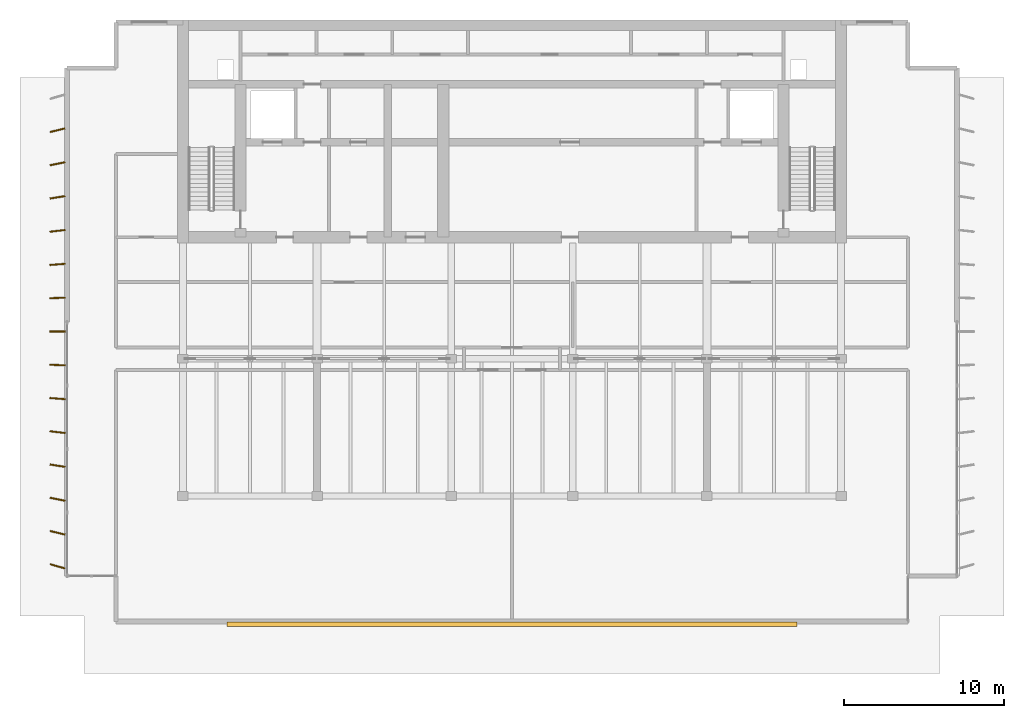
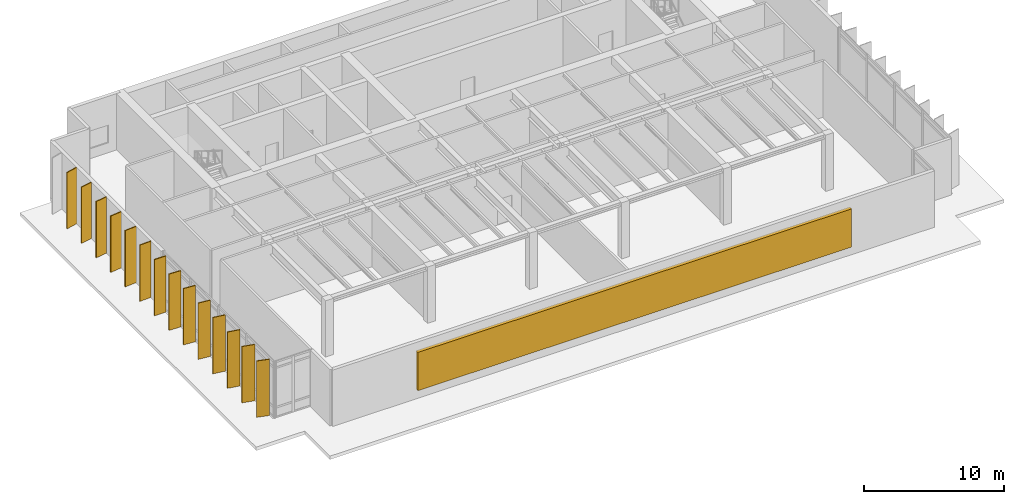
# One storey, part 9 of 12: 15 shading devices.
"""IFC4 building model written with IfcOpenShell, lengths in metres."""

from ifc_helpers import new_model, si_unit, direction, frame, origin, origin_2d, place, context, subcontext, project, spatial, rectangle, extrude, material, layer, layer_set, material_profile, profile_set, type_object, element, save


model = new_model("IFC4")

# Units and contexts
model_context = context("Model", 3, precision=1e-05, world=origin(), true_north=direction((0.0, 1.0)))
body_context = subcontext(model_context, "Body", "Model", "MODEL_VIEW")
ifc_project = project(units=[si_unit("LENGTHUNIT", "METRE"), si_unit("AREAUNIT", "SQUARE_METRE"), si_unit("VOLUMEUNIT", "CUBIC_METRE"), si_unit("PLANEANGLEUNIT", "RADIAN"), si_unit("MASSUNIT", "GRAM", prefix="KILO")], contexts=[model_context])

# Site, building, storey
site_placement = place(None, origin())
site = spatial("IfcSite", under=ifc_project, at=site_placement, CompositionType="ELEMENT")
building_placement = place(site_placement, origin())
building = spatial("IfcBuilding", under=site, at=building_placement, Name="Caelmar Bay Residences", CompositionType="ELEMENT")
storey_placement = place(building_placement, frame((0.0, 0.0, 274.199951171875)))
storey = spatial("IfcBuildingStorey", under=building, at=storey_placement, Name="L77", CompositionType="ELEMENT", Elevation=274.199951171875)

# Shading devices
ifc_material = material(Name="Anodised architectural bronze aluminium 6063-T6", Category="aluminium")
ifc_material_profile = material_profile(ifc_material, rectangle(XDim=0.074951171875, YDim=0.949951171875, at=origin_2d()), Name="BRONZE-FIN-75X950")
ifc_profile_set = profile_set([ifc_material_profile], Name="Anodised architectural bronze aluminium 6063-T6")
shading_device_type_1 = type_object("IfcShadingDeviceType", Name="SHD-FIN-950", PredefinedType="USERDEFINED", material=ifc_profile_set)
for number, where, z_axis, x_axis, name in (
    (1, (10.449951171875, 16.39990234375, 0.0), (0.0, 0.0, 1.0), (0.275637355817, 0.961261695938, 0.0), "L77 West Bronze Solar Fin 1"),
    (2, (10.449951171875, 18.5, 0.0), (0.0, 0.0, 1.0), (0.237007709767, 0.971507769146, 0.0), "L77 West Bronze Solar Fin 2"),
    (3, (10.449951171875, 20.60009765625, 0.0), (0.0, 0.0, 1.0), (0.198170582048, 0.980167547112, 0.0), "L77 West Bronze Solar Fin 3"),
    (4, (10.449951171875, 22.699951171875, 0.0), (0.0, 0.0, 1.0), (0.158847373537, 0.987303150973, 0.0), "L77 West Bronze Solar Fin 4"),
    (5, (10.449951171875, 24.800048828125, 0.0), (0.0, 0.0, 1.0), (0.119443734243, 0.992840971329, 0.0), "L77 West Bronze Solar Fin 5"),
    (6, (10.449951171875, 26.89990234375, 0.0), (0.0, 0.0, 1.0), (0.079677001159, 0.996820733877, 0.0), "L77 West Bronze Solar Fin 6"),
    (7, (10.449951171875, 29.0, 0.0), (0.0, 0.0, 1.0), (0.039957399602, 0.999201384215, 0.0), "L77 West Bronze Solar Fin 7"),
    (8, (10.449951171875, 31.10009765625, 0.0), (0.0, 0.0, 1.0), (0.0, 1.0, 0.0), "L77 West Bronze Solar Fin 8"),
    (9, (10.449951171875, 33.199951171875, 0.0), (0.0, 0.0, 1.0), (-0.039957399602, 0.999201384215, 0.0), "L77 West Bronze Solar Fin 9"),
    (10, (10.449951171875, 35.300048828125, 0.0), (0.0, 0.0, 1.0), (-0.079677001159, 0.996820733877, 0.0), "L77 West Bronze Solar Fin 10"),
    (11, (10.449951171875, 37.39990234375, 0.0), (0.0, 0.0, 1.0), (-0.119443734243, 0.992840971329, 0.0), "L77 West Bronze Solar Fin 11"),
    (12, (10.449951171875, 39.5, 0.0), (0.0, 0.0, 1.0), (-0.158847373537, 0.987303150973, 0.0), "L77 West Bronze Solar Fin 12"),
    (13, (10.449951171875, 41.60009765625, 0.0), (0.0, 0.0, 1.0), (-0.198170582048, 0.980167547112, 0.0), "L77 West Bronze Solar Fin 13"),
    (14, (10.449951171875, 43.699951171875, 0.0), (0.0, 0.0, 1.0), (-0.237007709767, 0.971507769146, 0.0), "L77 West Bronze Solar Fin 14"),
):
    element("IfcShadingDevice", number, at=place(storey_placement, frame(where, z_axis=z_axis, x_axis=x_axis)), inside=storey, type_object=shading_device_type_1, Name=name, ObjectType="FIN", PredefinedType="USERDEFINED", context=body_context, shape_type="SweptSolid", body=[
        extrude(rectangle(XDim=0.074951171875, YDim=0.949951171875, at=origin_2d()), origin(), (0.0, 0.0, 1.0), 4.900146484375),
    ])
ifc_layer = layer(ifc_material, 0.219970703125)
ifc_layer_set = layer_set([ifc_layer], Name="Anodised architectural bronze aluminium 6063-T6")
shading_device_type_2 = type_object("IfcShadingDeviceType", Name="SHD-LVR-300", PredefinedType="JALOUSIE", material=ifc_layer_set)
shading_device_placement = place(storey_placement, frame((38.89990234375, 12.780029296875, 0.783935546875), z_axis=(0.0, 0.0, 1.0), x_axis=(1.0, 0.0, 0.0)))
element("IfcShadingDevice", 15, at=shading_device_placement, inside=storey, type_object=shading_device_type_2, Name="L77 South Acoustic Storm Louvre", PredefinedType="JALOUSIE", context=body_context, shape_type="SweptSolid", body=[
    extrude(rectangle(XDim=35.7119140625, YDim=0.280029296875, at=origin_2d()), origin(), (0.0, 0.0, 1.0), 3.33203125),
])

save(model, "model.ifc")
